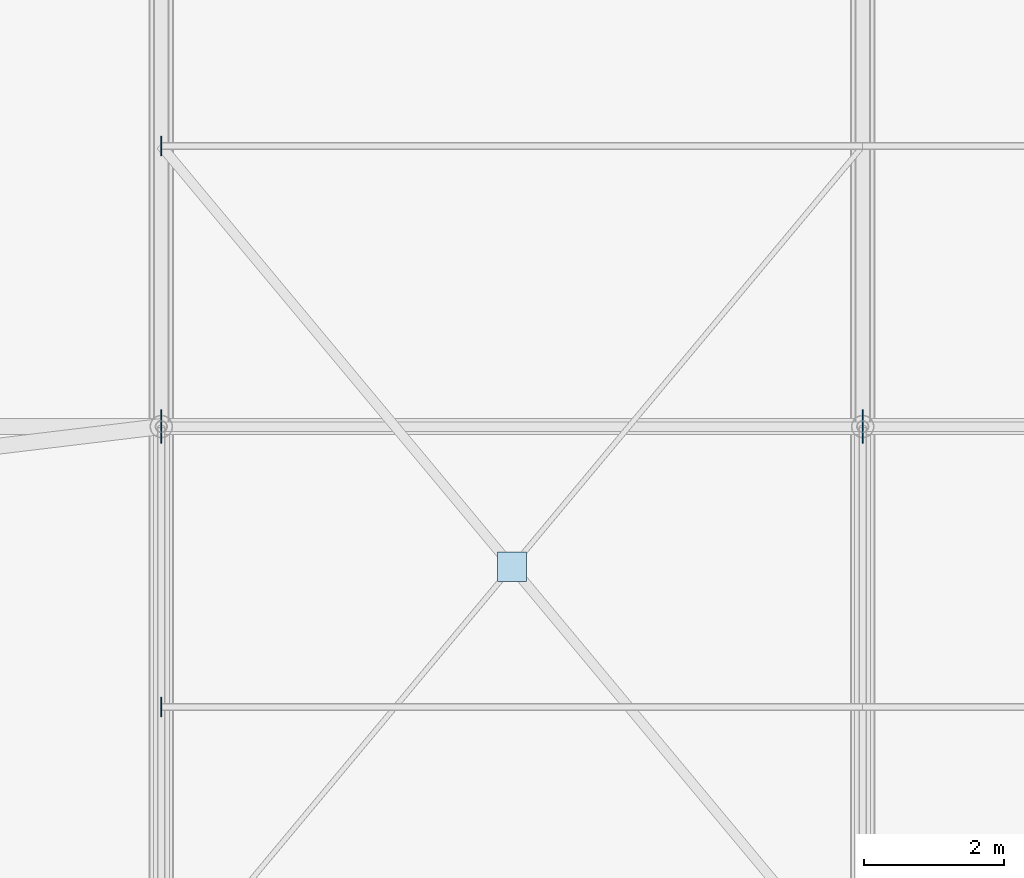
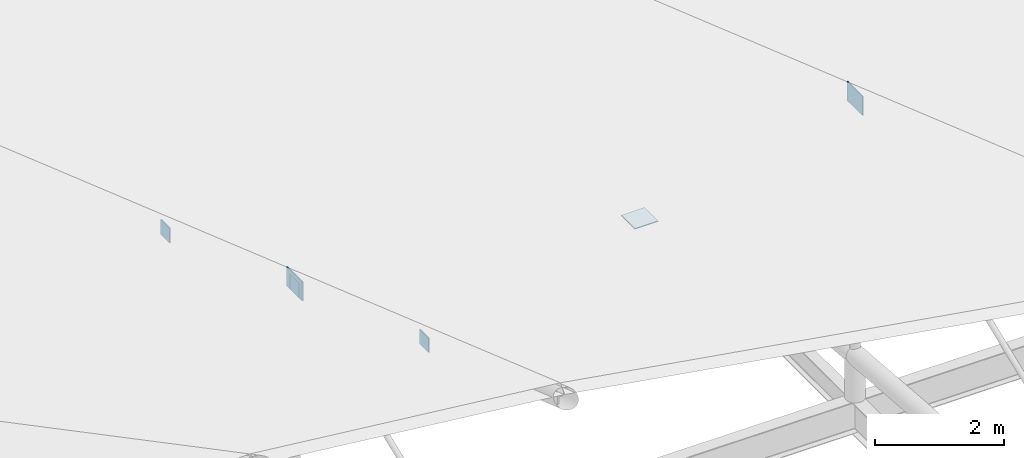
# One storey, part 87 of 93: 6 plates.
"""IFC4 building model written with IfcOpenShell, lengths in metres."""

from ifc_helpers import new_model, si_unit, derived_unit, direction, frame, origin, origin_2d_with_axis, place, context, subcontext, project, spatial, rectangle, extrude, material, layer, layer_set, type_object, element, save


model = new_model("IFC4")

# Units and contexts
model_context = context("Model", 3, precision=1e-05, world=origin(), true_north=direction((0.0, 1.0)))
body_context = subcontext(model_context, "Body", "Model", "MODEL_VIEW")
ifc_project = project(units=[si_unit("LENGTHUNIT", "METRE"), si_unit("AREAUNIT", "SQUARE_METRE"), si_unit("VOLUMEUNIT", "CUBIC_METRE"), si_unit("PLANEANGLEUNIT", "RADIAN"), si_unit("MASSUNIT", "GRAM", prefix="KILO"), derived_unit("THERMALTRANSMITTANCEUNIT", [(si_unit("POWERUNIT", "WATT"), 1), (si_unit("LENGTHUNIT", "METRE"), -2), (si_unit("THERMODYNAMICTEMPERATUREUNIT", "KELVIN"), -1)])], contexts=[model_context])

# Site, building, storey
site_placement = place(None, origin())
site = spatial("IfcSite", under=ifc_project, at=site_placement, CompositionType="ELEMENT")
building_placement = place(site_placement, origin())
building = spatial("IfcBuilding", under=site, at=building_placement, Name="Cinnabar Yard Market Hall", CompositionType="ELEMENT")
storey_placement = place(building_placement, frame((0.0, 0.0, 23.800048828125)))
storey = spatial("IfcBuildingStorey", under=building, at=storey_placement, Name="ROOF", CompositionType="ELEMENT", Elevation=23.800048828125)

# Plates
ifc_material = material(Name="Steel Grade 350 (350 MPa)", Category="steel")
ifc_layer_1 = layer(ifc_material, 0.01611328125)
ifc_layer_set_1 = layer_set([ifc_layer_1], Name="Steel Grade 350 (350 MPa)")
plate_type_1 = type_object("IfcPlateType", Name="PL-NP05", PredefinedType="SHEET", material=ifc_layer_set_1)
plate_placement = place(storey_placement, frame((91.0, 62.0, -3.0732421875), z_axis=(0.0, 0.0, 1.0), x_axis=(1.0, 0.0, 0.0)))
element("IfcPlate", 1, at=plate_placement, inside=storey, type_object=plate_type_1, Name="X-Brace Crossing Gusset 86-56", PredefinedType="SHEET", context=body_context, shape_type="SweptSolid", body=[
    extrude(rectangle(XDim=0.419921875, YDim=0.419921875, at=origin_2d_with_axis()), origin(), (0.0, 0.0, 1.0), 0.01611328125),
])
ifc_layer_2 = layer(ifc_material, 0.360107421875)
ifc_layer_set_2 = layer_set([ifc_layer_2], Name="Steel Grade 350 (350 MPa)")
plate_type_2 = type_object("IfcPlateType", Name="PL-NP12", PredefinedType="SHEET", material=ifc_layer_set_2)
for number, where, z_axis, x_axis, name in (
    (2, (86.0, 64.0, -3.94140625), (0.0, 0.0, 1.0), (1.0, 0.0, 0.0), "Truss Node Gusset 86-5"),
    (3, (96.0, 64.0, -3.94140625), (0.0, 0.0, 1.0), (1.0, 0.0, 0.0), "Truss Node Gusset 96-5"),
):
    element("IfcPlate", number, at=place(storey_placement, frame(where, z_axis=z_axis, x_axis=x_axis)), inside=storey, type_object=plate_type_2, Name=name, PredefinedType="SHEET", context=body_context, shape_type="SweptSolid", body=[
        extrude(rectangle(XDim=0.02001953125, YDim=0.47998046875, at=origin_2d_with_axis()), origin(), (0.0, 0.0, 1.0), 0.360107421875),
    ])
ifc_layer_3 = layer(ifc_material, 0.280029296875)
ifc_layer_set_3 = layer_set([ifc_layer_3], Name="Steel Grade 350 (350 MPa)")
plate_type_3 = type_object("IfcPlateType", Name="PL-NP17", PredefinedType="SHEET", material=ifc_layer_set_3)
for number, where, z_axis, x_axis, name in (
    (4, (86.0, 60.0, -2.54931640625), (0.0, 0.0, 1.0), (1.0, 0.0, 0.0), "Purlin End Cap Y60 W"),
    (5, (86.0, 64.0, -3.94140625), (0.0, 0.0, 1.0), (1.0, 0.0, 0.0), "Purlin End Cap Y64 W"),
    (6, (86.0, 68.0, -5.33349609375), (0.0, 0.0, 1.0), (1.0, 0.0, 0.0), "Purlin End Cap Y68 W"),
):
    element("IfcPlate", number, at=place(storey_placement, frame(where, z_axis=z_axis, x_axis=x_axis)), inside=storey, type_object=plate_type_3, Name=name, PredefinedType="SHEET", context=body_context, shape_type="SweptSolid", body=[
        extrude(rectangle(XDim=0.02001953125, YDim=0.280029296875, at=origin_2d_with_axis()), origin(), (0.0, 0.0, 1.0), 0.280029296875),
    ])

save(model, "model.ifc")
